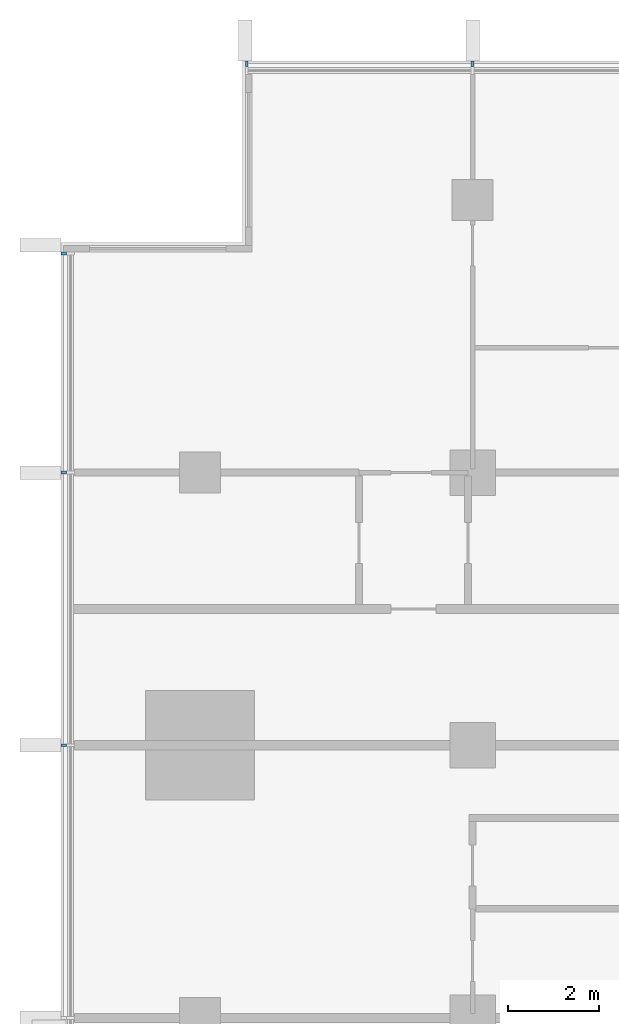
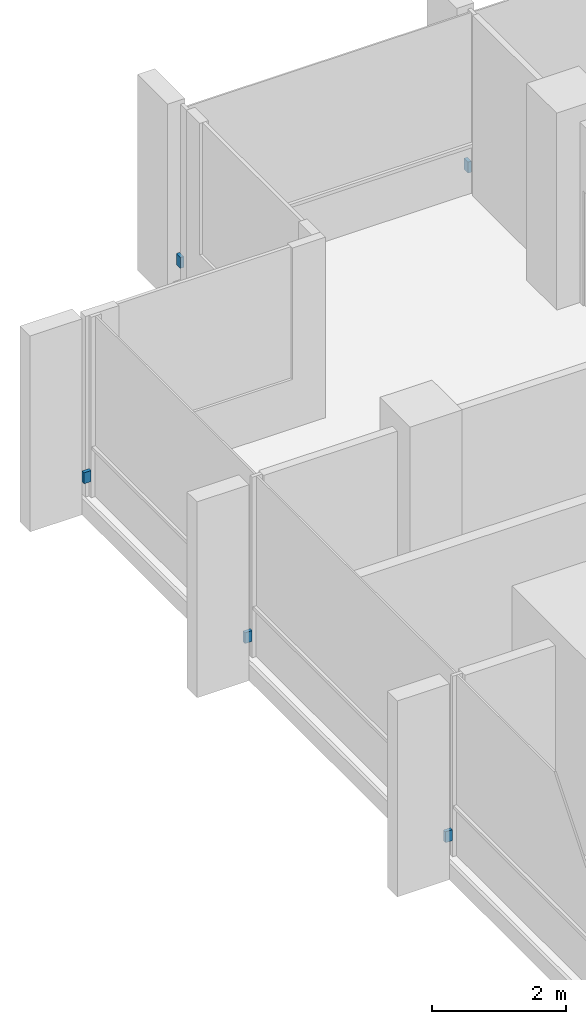
# One storey, part 14 of 16: 5 discrete accessories.
"""IFC4 building model written with IfcOpenShell, lengths in metres."""

from ifc_helpers import new_model, si_unit, direction, frame, origin, origin_2d, place, context, subcontext, project, spatial, rectangle, extrude, material, type_object, element, save


model = new_model("IFC4")

# Units and contexts
model_context = context("Model", 3, precision=1e-05, world=origin(), true_north=direction((0.0, 1.0)))
body_context = subcontext(model_context, "Body", "Model", "MODEL_VIEW")
ifc_project = project(units=[si_unit("LENGTHUNIT", "METRE"), si_unit("AREAUNIT", "SQUARE_METRE"), si_unit("VOLUMEUNIT", "CUBIC_METRE"), si_unit("PLANEANGLEUNIT", "RADIAN"), si_unit("MASSUNIT", "GRAM", prefix="KILO")], contexts=[model_context])

# Site, building, storey
site_placement = place(None, origin())
site = spatial("IfcSite", under=ifc_project, at=site_placement, CompositionType="ELEMENT")
building_placement = place(site_placement, origin())
building = spatial("IfcBuilding", under=site, at=building_placement, Name="Finial Court Residences", CompositionType="ELEMENT")
storey_placement = place(building_placement, frame((0.0, 0.0, 160.10009765625)))
storey = spatial("IfcBuildingStorey", under=building, at=storey_placement, Name="L39", CompositionType="ELEMENT", Elevation=160.10009765625)

# Discrete accessories
ifc_material = material(Name="Stainless steel 316", Category="steel")
discrete_accessory_type = type_object("IfcDiscreteAccessoryType", Name="Fin bracket, stainless steel 60 x 122 x 200", PredefinedType="BRACKET", material=ifc_material)
for number, where, z_axis, x_axis, name in (
    (1, (-15.469970703125, 22.498779296875, 0.2998046875), (0.0, 0.0, 1.0), (1.0, 0.0, 0.0), "E-L39-FIN-N1-BRK"),
    (2, (-10.5, 22.498779296875, 0.2998046875), (0.0, 0.0, 1.0), (1.0, 0.0, 0.0), "E-L39-FIN-N2-BRK"),
):
    element("IfcDiscreteAccessory", number, at=place(storey_placement, frame(where, z_axis=z_axis, x_axis=x_axis)), inside=storey, type_object=discrete_accessory_type, Name=name, PredefinedType="BRACKET", context=body_context, shape_type="SweptSolid", body=[
        extrude(rectangle(XDim=0.06005859375, YDim=0.12255859375, at=origin_2d()), origin(), (0.0, 0.0, 1.0), 0.199951171875),
    ])
for number, where, z_axis, x_axis, name in (
    (3, (-19.498779296875, 7.5, 0.2998046875), (0.0, 0.0, 1.0), (1.0, 0.0, 0.0), "E-L39-FIN-W26-BRK"),
    (4, (-19.498779296875, 13.5, 0.2998046875), (0.0, 0.0, 1.0), (1.0, 0.0, 0.0), "E-L39-FIN-W27-BRK"),
    (5, (-19.498779296875, 18.320068359375, 0.2998046875), (0.0, 0.0, 1.0), (1.0, 0.0, 0.0), "E-L39-FIN-W28-BRK"),
):
    element("IfcDiscreteAccessory", number, at=place(storey_placement, frame(where, z_axis=z_axis, x_axis=x_axis)), inside=storey, type_object=discrete_accessory_type, Name=name, PredefinedType="BRACKET", context=body_context, shape_type="SweptSolid", body=[
        extrude(rectangle(XDim=0.12255859375, YDim=0.06005859375, at=origin_2d()), origin(), (0.0, 0.0, 1.0), 0.199951171875),
    ])

save(model, "model.ifc")
